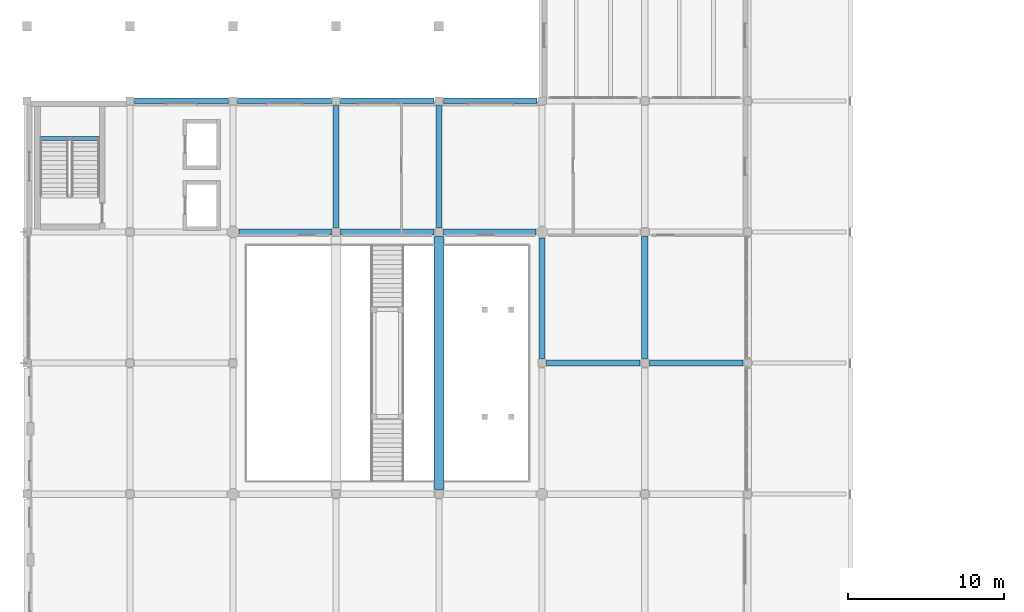
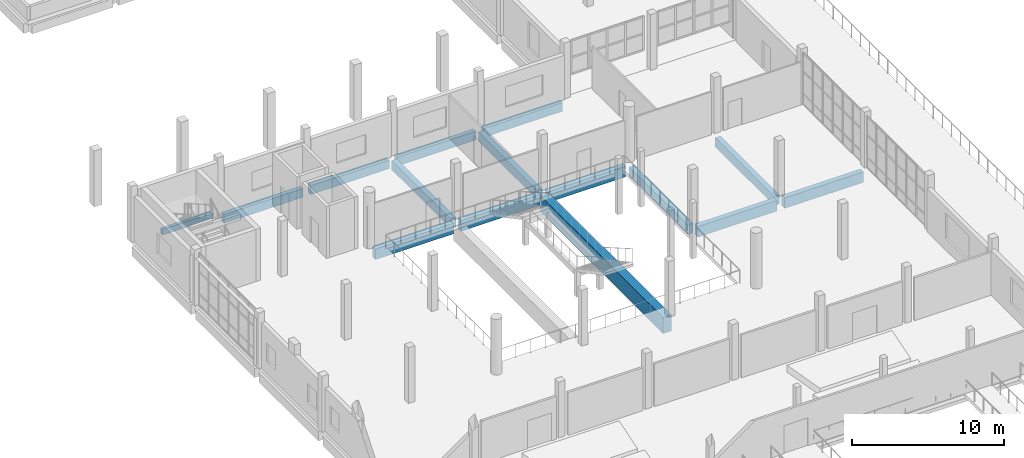
# One storey, part 6 of 83: 15 beams.
"""IFC4 building model written with IfcOpenShell, lengths in metres."""

from ifc_helpers import new_model, si_unit, direction, frame, origin, origin_2d, place, context, subcontext, project, spatial, rectangle, extrude, material, material_profile, profile_set, type_object, element, save


model = new_model("IFC4")

# Units and contexts
model_context = context("Model", 3, precision=1e-05, world=origin(), true_north=direction((0.0, 1.0)))
body_context = subcontext(model_context, "Body", "Model", "MODEL_VIEW")
ifc_project = project(units=[si_unit("LENGTHUNIT", "METRE"), si_unit("AREAUNIT", "SQUARE_METRE"), si_unit("VOLUMEUNIT", "CUBIC_METRE"), si_unit("PLANEANGLEUNIT", "RADIAN"), si_unit("MASSUNIT", "GRAM", prefix="KILO")], contexts=[model_context])

# Site, building, storey
site_placement = place(None, origin())
site = spatial("IfcSite", under=ifc_project, at=site_placement, CompositionType="ELEMENT")
building_placement = place(site_placement, origin())
building = spatial("IfcBuilding", under=site, at=building_placement, Name="Qaldarim Faculty of Natural and Applied Sciences", CompositionType="ELEMENT")
storey_placement = place(building_placement, frame((0.0, 0.0, 5.39990234375)))
storey = spatial("IfcBuildingStorey", under=building, at=storey_placement, Name="L01", CompositionType="ELEMENT", Elevation=5.39990234375)

# Beams
ifc_material_1 = material(Name="Concrete C50/60", Category="concrete")
ifc_material_profile_1 = material_profile(ifc_material_1, rectangle(XDim=0.39990234375, YDim=0.75, at=origin_2d()), Name="RC-B400x750")
ifc_profile_set_1 = profile_set([ifc_material_profile_1], Name="Concrete C50/60")
beam_type_1 = type_object("IfcBeamType", Name="LabGirder-RC400x750", PredefinedType="BEAM", material=ifc_profile_set_1)
for number, where, z_axis, x_axis, name in (
    (1, (19.800048828125, 75.89990234375, -0.6748046875), (0.0, 1.0, 0.0), (-1.0, 0.0, 0.0), "Beam RC-B400x750 L00 X04/Y10-Y11"),
    (2, (26.39990234375, 75.89990234375, -0.6748046875), (0.0, 1.0, 0.0), (-1.0, 0.0, 0.0), "Beam RC-B400x750 L00 X05/Y10-Y11"),
):
    element("IfcBeam", number, at=place(storey_placement, frame(where, z_axis=z_axis, x_axis=x_axis)), inside=storey, type_object=beam_type_1, Name=name, PredefinedType="BEAM", context=body_context, shape_type="SweptSolid", body=[
        extrude(rectangle(XDim=0.39990234375, YDim=0.75, at=origin_2d()), origin(), (0.0, 0.0, 1.0), 7.800048828125),
    ])
beam_1_placement = place(storey_placement, frame((33.0, 67.5, -0.6748046875), z_axis=(0.0, 1.0, 0.0), x_axis=(-1.0, 0.0, 0.0)))
element("IfcBeam", 3, at=beam_1_placement, inside=storey, type_object=beam_type_1, Name="Beam RC-B400x750 L00 X06/Y09-Y10", PredefinedType="BEAM", context=body_context, shape_type="SweptSolid", body=[
    extrude(rectangle(XDim=0.39990234375, YDim=0.75, at=origin_2d()), origin(), (0.0, 0.0, 1.0), 7.72509765625),
])
beam_2_placement = place(storey_placement, frame((39.60009765625, 67.5, -0.6748046875), z_axis=(0.0, 1.0, 0.0), x_axis=(-1.0, 0.0, 0.0)))
element("IfcBeam", 4, at=beam_2_placement, inside=storey, type_object=beam_type_1, Name="Beam RC-B400x750 L00 X07/Y09-Y10", PredefinedType="BEAM", context=body_context, shape_type="SweptSolid", body=[
    extrude(rectangle(XDim=0.39990234375, YDim=0.75, at=origin_2d()), origin(), (0.0, 0.0, 1.0), 7.800048828125),
])
ifc_material_2 = material(Name="Concrete C40/50", Category="concrete")
ifc_material_profile_2 = material_profile(ifc_material_2, rectangle(XDim=0.25, YDim=0.449951171875, at=origin_2d()), Name="RC-LN250x450")
ifc_profile_set_2 = profile_set([ifc_material_profile_2], Name="Concrete C40/50")
beam_type_2 = type_object("IfcBeamType", Name="LandingSupportBeam-RC250x450", PredefinedType="BEAM", material=ifc_profile_set_2)
beam_3_placement = place(storey_placement, frame((0.85009765625, 81.60498046875, 1.815185546875), z_axis=(1.0, 0.0, 0.0), x_axis=(0.0, 1.0, 0.0)))
element("IfcBeam", 5, at=beam_3_placement, inside=storey, type_object=beam_type_2, Name="Stair landing support beam ST-D2 L01", PredefinedType="BEAM", context=body_context, shape_type="SweptSolid", body=[
    extrude(rectangle(XDim=0.25, YDim=0.449951171875, at=origin_2d()), origin(), (0.0, 0.0, 1.0), 3.7998046875),
])
ifc_material_profile_3 = material_profile(ifc_material_1, rectangle(XDim=0.39990234375, YDim=0.85009765625, at=origin_2d()), Name="RC-B400x850")
ifc_profile_set_3 = profile_set([ifc_material_profile_3], Name="Concrete C50/60")
beam_type_3 = type_object("IfcBeamType", Name="PodiumGirder-RC400x850", PredefinedType="BEAM", material=ifc_profile_set_3)
for number, where, z_axis, x_axis, name in (
    (6, (33.300048828125, 67.199951171875, -0.724853515625), (1.0, 0.0, 0.0), (0.0, 1.0, 0.0), "Beam RC-B400x850 L00 X06-X07/Y09"),
    (7, (39.89990234375, 67.199951171875, -0.724853515625), (1.0, 0.0, 0.0), (0.0, 1.0, 0.0), "Beam RC-B400x850 L00 X07-X08/Y09"),
):
    element("IfcBeam", number, at=place(storey_placement, frame(where, z_axis=z_axis, x_axis=x_axis)), inside=storey, type_object=beam_type_3, Name=name, PredefinedType="BEAM", context=body_context, shape_type="SweptSolid", body=[
        extrude(rectangle(XDim=0.39990234375, YDim=0.85009765625, at=origin_2d()), origin(), (0.0, 0.0, 1.0), 6.0),
    ])
beam_4_placement = place(storey_placement, frame((13.574951171875, 75.60009765625, -0.724853515625), z_axis=(1.0, 0.0, 0.0), x_axis=(0.0, 1.0, 0.0)))
element("IfcBeam", 8, at=beam_4_placement, inside=storey, type_object=beam_type_3, Name="Beam RC-B400x850 L00 X03-X04/Y10", PredefinedType="BEAM", context=body_context, shape_type="SweptSolid", body=[
    extrude(rectangle(XDim=0.39990234375, YDim=0.85009765625, at=origin_2d()), origin(), (0.0, 0.0, 1.0), 5.925048828125),
])
beam_5_placement = place(storey_placement, frame((20.10009765625, 75.60009765625, -0.724853515625), z_axis=(1.0, 0.0, 0.0), x_axis=(0.0, 1.0, 0.0)))
element("IfcBeam", 9, at=beam_5_placement, inside=storey, type_object=beam_type_3, Name="Beam RC-B400x850 L00 X04-X05/Y10", PredefinedType="BEAM", context=body_context, shape_type="SweptSolid", body=[
    extrude(rectangle(XDim=0.39990234375, YDim=0.85009765625, at=origin_2d()), origin(), (0.0, 0.0, 1.0), 6.0),
])
beam_6_placement = place(storey_placement, frame((26.699951171875, 75.60009765625, -0.724853515625), z_axis=(1.0, 0.0, 0.0), x_axis=(0.0, 1.0, 0.0)))
element("IfcBeam", 10, at=beam_6_placement, inside=storey, type_object=beam_type_3, Name="Beam RC-B400x850 L00 X05-X06/Y10", PredefinedType="BEAM", context=body_context, shape_type="SweptSolid", body=[
    extrude(rectangle(XDim=0.39990234375, YDim=0.85009765625, at=origin_2d()), origin(), (0.0, 0.0, 1.0), 5.925048828125),
])
ifc_material_profile_4 = material_profile(ifc_material_2, rectangle(XDim=0.35009765625, YDim=0.699951171875, at=origin_2d()), Name="RC-B350x700")
ifc_profile_set_4 = profile_set([ifc_material_profile_4], Name="Concrete C40/50")
beam_type_4 = type_object("IfcBeamType", Name="PrimaryGirder-RC350x700", PredefinedType="BEAM", material=ifc_profile_set_4)
for number, where, z_axis, x_axis, name in (
    (11, (6.89990234375, 84.0, -0.64990234375), (1.0, 0.0, 0.0), (0.0, 1.0, 0.0), "Beam RC-B350x700 L00 X02-X03/Y11"),
    (12, (13.5, 84.0, -0.64990234375), (1.0, 0.0, 0.0), (0.0, 1.0, 0.0), "Beam RC-B350x700 L00 X03-X04/Y11"),
    (13, (20.10009765625, 84.0, -0.64990234375), (1.0, 0.0, 0.0), (0.0, 1.0, 0.0), "Beam RC-B350x700 L00 X04-X05/Y11"),
    (14, (26.699951171875, 84.0, -0.64990234375), (1.0, 0.0, 0.0), (0.0, 1.0, 0.0), "Beam RC-B350x700 L00 X05-X06/Y11"),
):
    element("IfcBeam", number, at=place(storey_placement, frame(where, z_axis=z_axis, x_axis=x_axis)), inside=storey, type_object=beam_type_4, Name=name, PredefinedType="BEAM", context=body_context, shape_type="SweptSolid", body=[
        extrude(rectangle(XDim=0.35009765625, YDim=0.699951171875, at=origin_2d()), origin(), (0.0, 0.0, 1.0), 6.0),
    ])
ifc_material_profile_5 = material_profile(ifc_material_1, rectangle(XDim=0.64990234375, YDim=1.300048828125, at=origin_2d()), Name="RC-TG650x1300")
ifc_profile_set_5 = profile_set([ifc_material_profile_5], Name="Concrete C50/60")
beam_type_5 = type_object("IfcBeamType", Name="TransferGirder-RC650x1300", PredefinedType="BEAM", material=ifc_profile_set_5)
beam_7_placement = place(storey_placement, frame((26.39990234375, 59.10009765625, -0.949951171875), z_axis=(0.0, 1.0, 0.0), x_axis=(-1.0, 0.0, 0.0)))
element("IfcBeam", 15, at=beam_7_placement, inside=storey, type_object=beam_type_5, Name="Long-span girder L00 X05 Y08-Y10", PredefinedType="BEAM", context=body_context, shape_type="SweptSolid", body=[
    extrude(rectangle(XDim=0.64990234375, YDim=1.300048828125, at=origin_2d()), origin(), (0.0, 0.0, 1.0), 16.199951171875),
])

save(model, "model.ifc")
